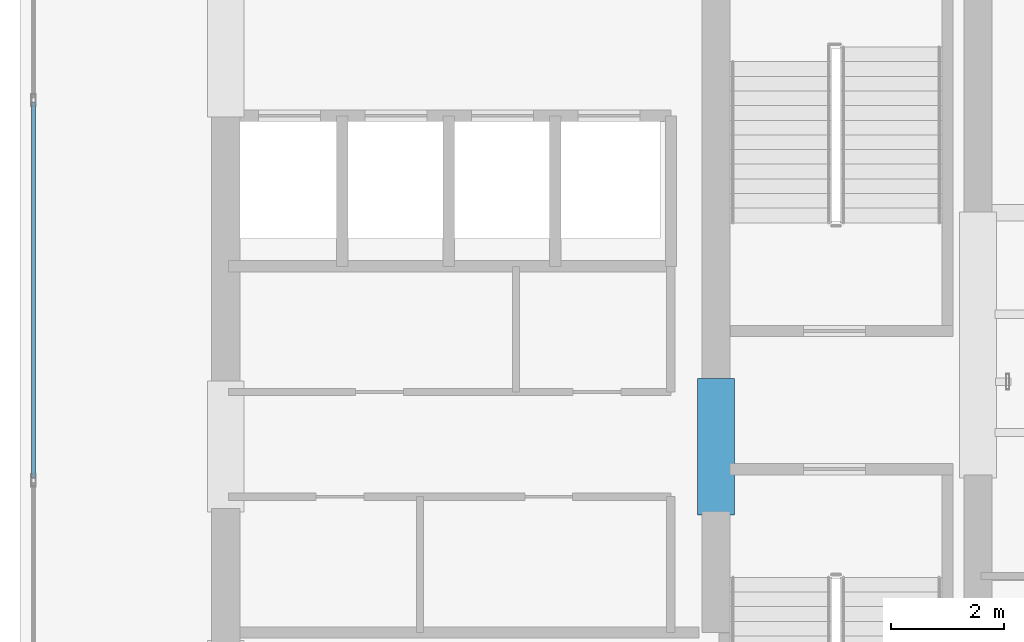
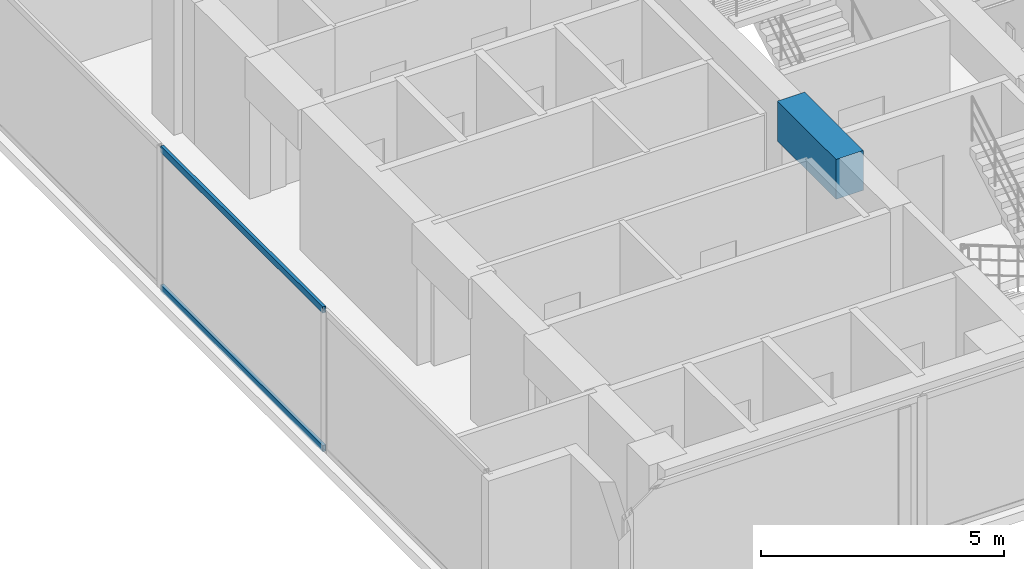
# One storey, part 3 of 22: 2 members, 1 beam, 1 element without a shape of its own.
"""IFC4 building model written with IfcOpenShell, lengths in metres."""

from ifc_helpers import new_model, si_unit, direction, frame, origin, origin_with_axes, origin_2d, place, context, subcontext, project, spatial, rectangle, hollow_rectangle, extrude, source, transform, mapped, material, layer, layer_set, material_profile, profile_set, type_object, element, aggregate, save


model = new_model("IFC4")

# Units and contexts
model_context = context("Model", 3, precision=1e-05, world=origin(), true_north=direction((0.0, 1.0)))
body_context = subcontext(model_context, "Body", "Model", "MODEL_VIEW")
ifc_project = project(units=[si_unit("LENGTHUNIT", "METRE"), si_unit("AREAUNIT", "SQUARE_METRE"), si_unit("VOLUMEUNIT", "CUBIC_METRE"), si_unit("PLANEANGLEUNIT", "RADIAN"), si_unit("MASSUNIT", "GRAM", prefix="KILO")], contexts=[model_context])

# Site, building, storey
site_placement = place(None, origin())
site = spatial("IfcSite", under=ifc_project, at=site_placement, CompositionType="ELEMENT")
building_placement = place(site_placement, origin())
building = spatial("IfcBuilding", under=site, at=building_placement, Name="Kolvaren Waterfront Exchange", CompositionType="ELEMENT")
storey_placement = place(building_placement, frame((0.0, 0.0, 274.199951171875)))
storey = spatial("IfcBuildingStorey", under=building, at=storey_placement, Name="L70", CompositionType="ELEMENT", Elevation=274.199951171875)

# Beam
ifc_material_1 = material(Name="Concrete C60/75", Category="concrete")
ifc_material_profile_1 = material_profile(ifc_material_1, rectangle(XDim=0.64990234375, YDim=1.0, at=origin_2d()), Name="RC-CB-1000x650")
ifc_profile_set_1 = profile_set([ifc_material_profile_1], Name="Concrete C60/75")
beam_type = type_object("IfcBeamType", Name="STR-CB-1000", PredefinedType="SPANDREL", material=ifc_profile_set_1)
beam_placement = place(storey_placement, frame((16.14990234375, 12.0400390625, 3.06005859375), z_axis=(0.0, 1.0, 0.0), x_axis=(-1.0, 0.0, 0.0)))
element("IfcBeam", 1, at=beam_placement, inside=storey, type_object=beam_type, Name="L70 core coupling beam 6", PredefinedType="SPANDREL", context=body_context, shape_type="SweptSolid", body=[
    extrude(rectangle(XDim=0.64990234375, YDim=1.0, at=origin_2d()), origin(), (0.0, 0.0, 1.0), 2.419921875),
])

# Curtain wall, members
ifc_material_2 = material(Name="Anodised aluminium 6063-T6", Category="aluminium")
ifc_layer = layer(ifc_material_2, 0.219970703125, Name="Anodised aluminium 6063-T6")
ifc_layer_set = layer_set([ifc_layer], Name="Anodised aluminium 6063-T6")
curtain_wall_type = type_object("IfcCurtainWallType", Name="ARC-CW-SYS2", PredefinedType="USERDEFINED", material=ifc_layer_set)
curtain_wall_placement = place(storey_placement, origin())
curtain_wall = element("IfcCurtainWall", 2, at=curtain_wall_placement, inside=storey, type_object=curtain_wall_type, Name="L70 stick curtain wall CW2 (CW-L70-W)", ObjectType="STICK CURTAIN WALL", PredefinedType="USERDEFINED")
ifc_material_profile_2 = material_profile(ifc_material_2, hollow_rectangle(XDim=0.074951171875, YDim=0.159912109375, WallThickness=0.00439453125, at=origin_2d()), Name="ALU-TRN-160x75x4.5")
ifc_profile_set_2 = profile_set([ifc_material_profile_2], Name="Anodised aluminium 6063-T6")
member_type = type_object("IfcMemberType", Name="ARC-CWT-160", PredefinedType="USERDEFINED", material=ifc_profile_set_2)
shared_shape = source(origin_with_axes(), body_context, "Body", "SweptSolid", [
    extrude(hollow_rectangle(XDim=0.074951171875, YDim=0.159912109375, WallThickness=0.00439453125, at=origin_2d()), origin(), (0.0, 0.0, 1.0), 6.668212890625),
])
member_1_placement = place(storey_placement, frame((4.0400390625, 12.688232421875, 0.03759765625), z_axis=(0.0, 1.0, 0.0), x_axis=(-1.0, 0.0, 0.0)))
member_1 = element("IfcMember", 3, at=member_1_placement, type_object=member_type, Name="CW2 transom 2.1", ObjectType="TRANSOM", PredefinedType="USERDEFINED", context=body_context, shape_type="MappedRepresentation", body=[
    mapped(shared_shape, transform((0.0, 0.0, 0.0), x_axis=(1.0, 0.0, 0.0), y_axis=(0.0, 1.0, 0.0), z_axis=(0.0, 0.0, 1.0), scale=1.0)),
])
member_2_placement = place(storey_placement, frame((4.0400390625, 12.688232421875, 3.5224609375), z_axis=(0.0, 1.0, 0.0), x_axis=(-1.0, 0.0, 0.0)))
member_2 = element("IfcMember", 4, at=member_2_placement, type_object=member_type, Name="CW2 transom 2.2", ObjectType="TRANSOM", PredefinedType="USERDEFINED", context=body_context, shape_type="MappedRepresentation", body=[
    mapped(shared_shape, transform((0.0, 0.0, 0.0), x_axis=(1.0, 0.0, 0.0), y_axis=(0.0, 1.0, 0.0), z_axis=(0.0, 0.0, 1.0), scale=1.0)),
])
aggregate(curtain_wall, [member_1, member_2])

save(model, "model.ifc")
